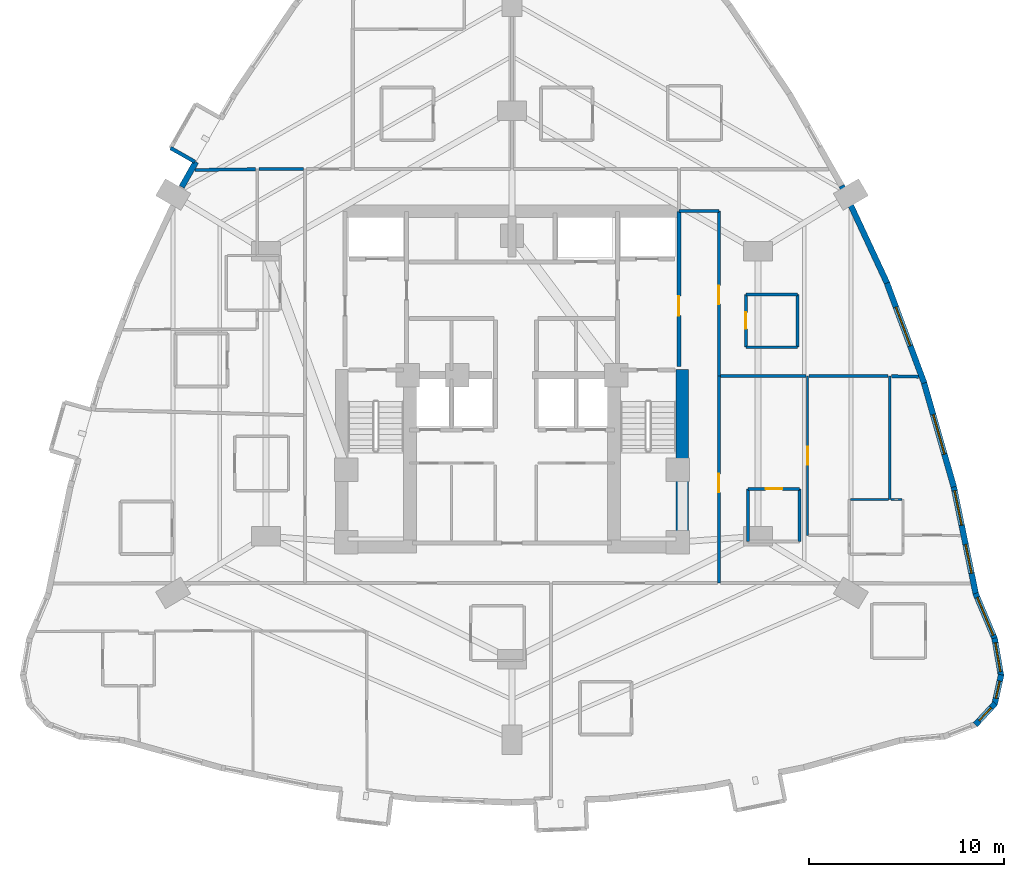
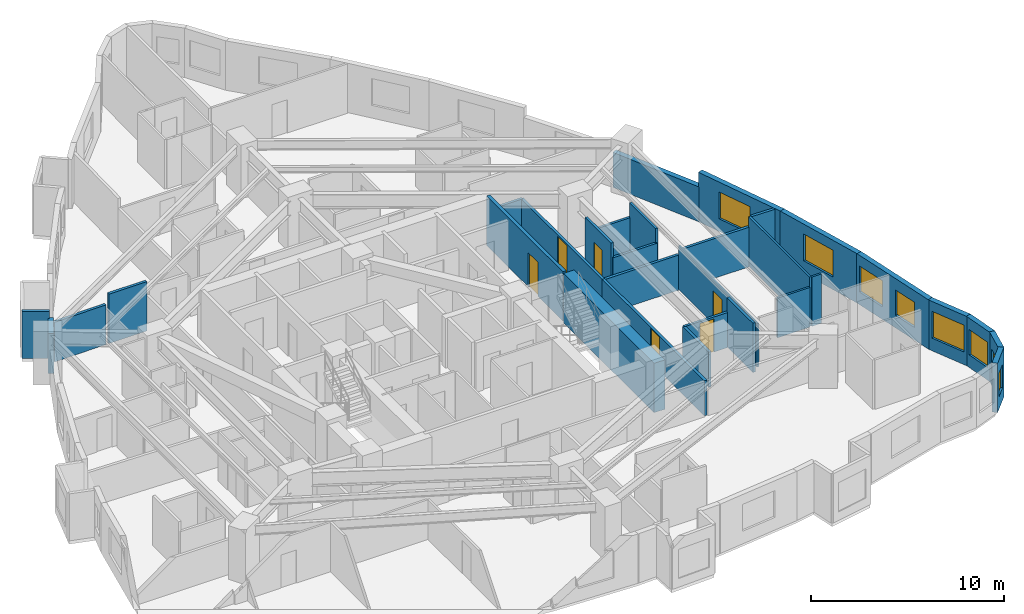
# One storey, part 12 of 15: 31 walls, 8 windows, 6 doors, 14 openings.
"""IFC4 building model written with IfcOpenShell, lengths in metres."""

from ifc_helpers import new_model, si_unit, direction, frame, frame_2d, origin, place, context, subcontext, project, spatial, rectangle, extrude, material, layer, layer_set, type_object, element, fill, save


model = new_model("IFC4")

# Units and contexts
model_context = context("Model", 3, precision=1e-05, world=origin(), true_north=direction((0.0, 1.0)))
body_context = subcontext(model_context, "Body", "Model", "MODEL_VIEW")
ifc_project = project(units=[si_unit("LENGTHUNIT", "METRE"), si_unit("AREAUNIT", "SQUARE_METRE"), si_unit("VOLUMEUNIT", "CUBIC_METRE"), si_unit("PLANEANGLEUNIT", "RADIAN"), si_unit("MASSUNIT", "GRAM", prefix="KILO")], contexts=[model_context])

# Site, building, storey
site_placement = place(None, origin())
site = spatial("IfcSite", under=ifc_project, at=site_placement, CompositionType="ELEMENT")
building_placement = place(site_placement, origin())
building = spatial("IfcBuilding", under=site, at=building_placement, Name="Miruveldt Soraemaru", CompositionType="ELEMENT")
storey_placement = place(building_placement, frame((0.0, 0.0, 36.0)))
storey = spatial("IfcBuildingStorey", under=building, at=storey_placement, Name="L09", CompositionType="ELEMENT", Elevation=36.0)

# Walls
ifc_material_1 = material(Name="White powder-coated aluminium EN AW-6060 T6", Category="aluminium")
ifc_layer_1 = layer(ifc_material_1, 0.18994140625, Name="White powder-coated aluminium EN AW-6060 T6", Category="aluminium")
ifc_layer_set_1 = layer_set([ifc_layer_1], Name="White powder-coated aluminium EN AW-6060 T6")
wall_type_1 = type_object("IfcWallType", Name="WALL-BAY-ALU190", PredefinedType="SOLIDWALL", material=ifc_layer_set_1)
wall_1_placement = place(storey_placement, frame((26.51220703125, 55.683349609375, 0.0), z_axis=(0.0, 0.0, 1.0), x_axis=(0.869840890461, -0.493332367965, 0.0)))
element("IfcWall", 1, at=wall_1_placement, inside=storey, type_object=wall_type_1, Name="L09 Bay Window Side Cheek 2R", PredefinedType="SOLIDWALL", context=body_context, shape_type="SweptSolid", body=[
    extrude(rectangle(XDim=1.42529296875, YDim=0.18994140625, at=frame_2d((0.712646484375, 0.0))), origin(), (0.0, 0.0, 1.0), 2.97509765625),
])
ifc_material_2 = material(Name="Concrete C80/95 (80 MPa)", Category="concrete")
ifc_layer_2 = layer(ifc_material_2, 0.64990234375, Name="Concrete C80/95 (80 MPa)", Category="concrete")
ifc_layer_set_2 = layer_set([ifc_layer_2], Name="Concrete C80/95 (80 MPa)")
wall_type_2 = type_object("IfcWallType", Name="WALL-CW-650", PredefinedType="SHEAR", material=ifc_layer_set_2)
wall_2_placement = place(storey_placement, frame((52.72509765625, 34.949951171875, 0.0), z_axis=(0.0, 0.0, 1.0), x_axis=(0.0, 1.0, 0.0)))
element("IfcWall", 2, at=wall_2_placement, inside=storey, type_object=wall_type_2, Name="L09 Central Core Shear Wall E1", PredefinedType="SHEAR", context=body_context, shape_type="SweptSolid", body=[
    extrude(rectangle(XDim=9.400146484375, YDim=0.64990234375, at=frame_2d((4.7001953125, 0.0))), origin(), (0.0, 0.0, 1.0), 3.125),
])
ifc_material_3 = material(Name="Precast concrete C45/55 (45 MPa)", Category="concrete")
ifc_layer_3 = layer(ifc_material_3, 0.300048828125, Name="Precast concrete C45/55 (45 MPa)", Category="concrete")
ifc_layer_set_3 = layer_set([ifc_layer_3], Name="Precast concrete C45/55 (45 MPa)")
wall_type_3 = type_object("IfcWallType", Name="WALL-EXT-PC300", PredefinedType="SOLIDWALL", material=ifc_layer_set_3)
wall_3_placement = place(storey_placement, frame((27.814453125, 54.979248046875, 0.0), z_axis=(0.0, 0.0, 1.0), x_axis=(-0.493382949602, -0.86981220102, 0.0)))
element("IfcWall", 3, at=wall_3_placement, inside=storey, type_object=wall_type_3, Name="L09 Precast Pier Wall 10B", PredefinedType="SOLIDWALL", context=body_context, shape_type="SweptSolid", body=[
    extrude(rectangle(XDim=1.47998046875, YDim=0.300048828125, at=frame_2d((0.739990234375, 0.0))), origin(), (0.0, 0.0, 1.0), 2.512939453125),
])

# Wall, opening, window
wall_4_placement = place(storey_placement, frame((67.732421875, 26.1455078125, 0.0), z_axis=(0.0, 0.0, 1.0), x_axis=(0.680093162968, 0.73312569842, 0.0)))
wall_4 = element("IfcWall", 4, at=wall_4_placement, inside=storey, type_object=wall_type_3, Name="L09 Precast Concrete Facade Wall 31", PredefinedType="SOLIDWALL", context=body_context, shape_type="SweptSolid", body=[
    extrude(rectangle(XDim=1.491455078125, YDim=0.300048828125, at=frame_2d((0.74560546875, 0.0))), origin(), (0.0, 0.0, 1.0), 3.125),
])
opening_1_placement = place(wall_4_placement, frame((0.294921875, 0.0, 0.780029296875)))
opening_1 = element("IfcOpeningElement", 5, at=opening_1_placement, cuts=wall_4, Name="Opening WN-7", PredefinedType="OPENING", context=body_context, shape_type="SweptSolid", body=[
    extrude(rectangle(XDim=0.89990234375, YDim=1.5, at=frame_2d((0.449951171875, 0.75))), frame((0.0, 0.16015625, 0.0), z_axis=(0.0, -1.0, 0.0), x_axis=(1.0, 0.0, 0.0)), (0.0, 0.0, 1.0), 0.320068359375),
])
ifc_material_4 = material(Name="Triple low-e insulated glazing", Category="glass")
window_type_1 = type_object("IfcWindowType", Name="WIN-PUNCH-900x1500", PartitioningType="SINGLE_PANEL", PredefinedType="WINDOW", material=ifc_material_4)
window_1_placement = place(opening_1_placement, origin())
window_1 = element("IfcWindow", 6, at=window_1_placement, inside=storey, type_object=window_type_1, Name="L09 Punched Triple-Glazed Window 31.1", OverallHeight=1.5, OverallWidth=0.89990234375, PartitioningType="SINGLE_PANEL", PredefinedType="WINDOW", context=body_context, shape_type="SweptSolid", body=[
    extrude(rectangle(XDim=0.89990234375, YDim=1.5, at=frame_2d((0.449951171875, 0.75))), frame((0.0, 0.030029296875, 0.0), z_axis=(0.0, -1.0, 0.0), x_axis=(1.0, 0.0, 0.0)), (0.0, 0.0, 1.0), 0.06005859375),
])
fill(opening_1, window_1)

wall_5_placement = place(storey_placement, frame((68.715576171875, 27.178955078125, 0.0), z_axis=(0.0, 0.0, 1.0), x_axis=(0.215707327846, 0.976458062957, 0.0)))
wall_5 = element("IfcWall", 7, at=wall_5_placement, inside=storey, type_object=wall_type_3, Name="L09 Precast Concrete Facade Wall 32", PredefinedType="SOLIDWALL", context=body_context, shape_type="SweptSolid", body=[
    extrude(rectangle(XDim=1.564208984375, YDim=0.300048828125, at=frame_2d((0.7822265625, 0.0))), origin(), (0.0, 0.0, 1.0), 3.125),
])
opening_2_placement = place(wall_5_placement, frame((0.33203125, 0.0, 0.780029296875)))
opening_2 = element("IfcOpeningElement", 8, at=opening_2_placement, cuts=wall_5, Name="Opening WN-7", PredefinedType="OPENING", context=body_context, shape_type="SweptSolid", body=[
    extrude(rectangle(XDim=0.89990234375, YDim=1.5, at=frame_2d((0.449951171875, 0.75))), frame((0.0, 0.16015625, 0.0), z_axis=(0.0, -1.0, 0.0), x_axis=(1.0, 0.0, 0.0)), (0.0, 0.0, 1.0), 0.320068359375),
])
window_2_placement = place(opening_2_placement, origin())
window_2 = element("IfcWindow", 9, at=window_2_placement, inside=storey, type_object=window_type_1, Name="L09 Punched Triple-Glazed Window 32.1", OverallHeight=1.5, OverallWidth=0.89990234375, PartitioningType="SINGLE_PANEL", PredefinedType="WINDOW", context=body_context, shape_type="SweptSolid", body=[
    extrude(rectangle(XDim=0.89990234375, YDim=1.5, at=frame_2d((0.449951171875, 0.75))), frame((0.0, 0.030029296875, 0.0), z_axis=(0.0, -1.0, 0.0), x_axis=(1.0, 0.0, 0.0)), (0.0, 0.0, 1.0), 0.06005859375),
])
fill(opening_2, window_2)

wall_6_placement = place(storey_placement, frame((69.05126953125, 28.637451171875, 0.0), z_axis=(0.0, 0.0, 1.0), x_axis=(-0.169272905245, 0.985569218041, 0.0)))
wall_6 = element("IfcWall", 10, at=wall_6_placement, inside=storey, type_object=wall_type_3, Name="L09 Precast Concrete Facade Wall 33", PredefinedType="SOLIDWALL", context=body_context, shape_type="SweptSolid", body=[
    extrude(rectangle(XDim=1.97314453125, YDim=0.300048828125, at=frame_2d((0.986572265625, 0.0))), origin(), (0.0, 0.0, 1.0), 3.125),
])
opening_3_placement = place(wall_6_placement, frame((0.236083984375, 0.0, 0.800048828125)))
opening_3 = element("IfcOpeningElement", 11, at=opening_3_placement, cuts=wall_6, Name="Opening WN-3", PredefinedType="OPENING", context=body_context, shape_type="SweptSolid", body=[
    extrude(rectangle(XDim=1.5, YDim=1.60009765625, at=frame_2d((0.75, 0.800048828125))), frame((0.0, 0.16015625, 0.0), z_axis=(0.0, -1.0, 0.0), x_axis=(1.0, 0.0, 0.0)), (0.0, 0.0, 1.0), 0.320068359375),
])
window_type_2 = type_object("IfcWindowType", Name="WIN-PUNCH-1500x1600", PartitioningType="SINGLE_PANEL", PredefinedType="WINDOW", material=ifc_material_4)
window_3_placement = place(opening_3_placement, origin())
window_3 = element("IfcWindow", 12, at=window_3_placement, inside=storey, type_object=window_type_2, Name="L09 Punched Triple-Glazed Window 33.1", OverallHeight=1.60009765625, OverallWidth=1.5, PartitioningType="SINGLE_PANEL", PredefinedType="WINDOW", context=body_context, shape_type="SweptSolid", body=[
    extrude(rectangle(XDim=1.5, YDim=1.60009765625, at=frame_2d((0.75, 0.800048828125))), frame((0.0, 0.030029296875, 0.0), z_axis=(0.0, -1.0, 0.0), x_axis=(1.0, 0.0, 0.0)), (0.0, 0.0, 1.0), 0.06005859375),
])
fill(opening_3, window_3)

wall_7_placement = place(storey_placement, frame((68.73681640625, 30.515380859375, 0.0), z_axis=(0.0, 0.0, 1.0), x_axis=(-0.388671385618, 0.921376445326, 0.0)))
wall_7 = element("IfcWall", 13, at=wall_7_placement, inside=storey, type_object=wall_type_3, Name="L09 Precast Concrete Facade Wall 34", PredefinedType="SOLIDWALL", context=body_context, shape_type="SweptSolid", body=[
    extrude(rectangle(XDim=2.557861328125, YDim=0.300048828125, at=frame_2d((1.27880859375, 0.0))), origin(), (0.0, 0.0, 1.0), 3.125),
])
opening_4_placement = place(wall_7_placement, frame((0.22900390625, 0.0, 0.800048828125)))
opening_4 = element("IfcOpeningElement", 14, at=opening_4_placement, cuts=wall_7, Name="Opening WN-1", PredefinedType="OPENING", context=body_context, shape_type="SweptSolid", body=[
    extrude(rectangle(XDim=2.10009765625, YDim=1.699951171875, at=frame_2d((1.050048828125, 0.85009765625))), frame((0.0, 0.16015625, 0.0), z_axis=(0.0, -1.0, 0.0), x_axis=(1.0, 0.0, 0.0)), (0.0, 0.0, 1.0), 0.320068359375),
])
window_type_3 = type_object("IfcWindowType", Name="WIN-PUNCH-2100x1700", PartitioningType="SINGLE_PANEL", PredefinedType="WINDOW", material=ifc_material_4)
window_4_placement = place(opening_4_placement, origin())
window_4 = element("IfcWindow", 15, at=window_4_placement, inside=storey, type_object=window_type_3, Name="L09 Punched Triple-Glazed Window 34.1", OverallHeight=1.699951171875, OverallWidth=2.10009765625, PartitioningType="SINGLE_PANEL", PredefinedType="WINDOW", context=body_context, shape_type="SweptSolid", body=[
    extrude(rectangle(XDim=2.10009765625, YDim=1.699951171875, at=frame_2d((1.050048828125, 0.85009765625))), frame((0.0, 0.030029296875, 0.0), z_axis=(0.0, -1.0, 0.0), x_axis=(1.0, 0.0, 0.0)), (0.0, 0.0, 1.0), 0.06005859375),
])
fill(opening_4, window_4)

# Wall, openings, windows
wall_8_placement = place(storey_placement, frame((67.763427734375, 32.8056640625, 0.0), z_axis=(0.0, 0.0, 1.0), x_axis=(-0.201578050416, 0.979472454738, 0.0)))
wall_8 = element("IfcWall", 16, at=wall_8_placement, inside=storey, type_object=wall_type_3, Name="L09 Precast Concrete Facade Wall 35", PredefinedType="SOLIDWALL", context=body_context, shape_type="SweptSolid", body=[
    extrude(rectangle(XDim=5.70458984375, YDim=0.300048828125, at=frame_2d((2.852294921875, 0.0))), origin(), (0.0, 0.0, 1.0), 3.125),
])
opening_5_placement = place(wall_8_placement, frame((1.1240234375, 0.0, 0.800048828125)))
opening_5 = element("IfcOpeningElement", 17, at=opening_5_placement, cuts=wall_8, Name="Opening WN-3", PredefinedType="OPENING", context=body_context, shape_type="SweptSolid", body=[
    extrude(rectangle(XDim=1.5, YDim=1.60009765625, at=frame_2d((0.75, 0.800048828125))), frame((0.0, 0.16015625, 0.0), z_axis=(0.0, -1.0, 0.0), x_axis=(1.0, 0.0, 0.0)), (0.0, 0.0, 1.0), 0.320068359375),
])
opening_6_placement = place(wall_8_placement, frame((3.635009765625, 0.0, 0.800048828125)))
opening_6 = element("IfcOpeningElement", 18, at=opening_6_placement, cuts=wall_8, Name="Opening WN-2", PredefinedType="OPENING", context=body_context, shape_type="SweptSolid", body=[
    extrude(rectangle(XDim=1.800048828125, YDim=1.64990234375, at=frame_2d((0.89990234375, 0.824951171875))), frame((0.0, 0.16015625, 0.0), z_axis=(0.0, -1.0, 0.0), x_axis=(1.0, 0.0, 0.0)), (0.0, 0.0, 1.0), 0.320068359375),
])
window_5_placement = place(opening_5_placement, origin())
window_5 = element("IfcWindow", 19, at=window_5_placement, inside=storey, type_object=window_type_2, Name="L09 Punched Triple-Glazed Window 35.1", OverallHeight=1.60009765625, OverallWidth=1.5, PartitioningType="SINGLE_PANEL", PredefinedType="WINDOW", context=body_context, shape_type="SweptSolid", body=[
    extrude(rectangle(XDim=1.5, YDim=1.60009765625, at=frame_2d((0.75, 0.800048828125))), frame((0.0, 0.030029296875, 0.0), z_axis=(0.0, -1.0, 0.0), x_axis=(1.0, 0.0, 0.0)), (0.0, 0.0, 1.0), 0.06005859375),
])
fill(opening_5, window_5)
window_type_4 = type_object("IfcWindowType", Name="WIN-PUNCH-1800x1650", PartitioningType="SINGLE_PANEL", PredefinedType="WINDOW", material=ifc_material_4)
window_6_placement = place(opening_6_placement, origin())
window_6 = element("IfcWindow", 20, at=window_6_placement, inside=storey, type_object=window_type_4, Name="L09 Punched Triple-Glazed Window 35.2", OverallHeight=1.64990234375, OverallWidth=1.800048828125, PartitioningType="SINGLE_PANEL", PredefinedType="WINDOW", context=body_context, shape_type="SweptSolid", body=[
    extrude(rectangle(XDim=1.800048828125, YDim=1.64990234375, at=frame_2d((0.89990234375, 0.824951171875))), frame((0.0, 0.030029296875, 0.0), z_axis=(0.0, -1.0, 0.0), x_axis=(1.0, 0.0, 0.0)), (0.0, 0.0, 1.0), 0.06005859375),
])
fill(opening_6, window_6)

# Wall, opening, window
wall_9_placement = place(storey_placement, frame((66.630126953125, 38.3251953125, 0.0), z_axis=(0.0, 0.0, 1.0), x_axis=(-0.274980080947, 0.961449923336, 0.0)))
wall_9 = element("IfcWall", 21, at=wall_9_placement, inside=storey, type_object=wall_type_3, Name="L09 Precast Concrete Facade Wall 36", PredefinedType="SOLIDWALL", context=body_context, shape_type="SweptSolid", body=[
    extrude(rectangle(XDim=5.603271484375, YDim=0.300048828125, at=frame_2d((2.8017578125, 0.0))), origin(), (0.0, 0.0, 1.0), 3.125),
])
opening_7_placement = place(wall_9_placement, frame((1.7509765625, 0.0, 0.800048828125)))
opening_7 = element("IfcOpeningElement", 22, at=opening_7_placement, cuts=wall_9, Name="Opening WN-1", PredefinedType="OPENING", context=body_context, shape_type="SweptSolid", body=[
    extrude(rectangle(XDim=2.10009765625, YDim=1.699951171875, at=frame_2d((1.050048828125, 0.85009765625))), frame((0.0, 0.16015625, 0.0), z_axis=(0.0, -1.0, 0.0), x_axis=(1.0, 0.0, 0.0)), (0.0, 0.0, 1.0), 0.320068359375),
])
window_7_placement = place(opening_7_placement, origin())
window_7 = element("IfcWindow", 23, at=window_7_placement, inside=storey, type_object=window_type_3, Name="L09 Punched Triple-Glazed Window 36.1", OverallHeight=1.699951171875, OverallWidth=2.10009765625, PartitioningType="SINGLE_PANEL", PredefinedType="WINDOW", context=body_context, shape_type="SweptSolid", body=[
    extrude(rectangle(XDim=2.10009765625, YDim=1.699951171875, at=frame_2d((1.050048828125, 0.85009765625))), frame((0.0, 0.030029296875, 0.0), z_axis=(0.0, -1.0, 0.0), x_axis=(1.0, 0.0, 0.0)), (0.0, 0.0, 1.0), 0.06005859375),
])
fill(opening_7, window_7)

wall_10_placement = place(storey_placement, frame((65.111083984375, 43.64599609375, 0.0), z_axis=(0.0, 0.0, 1.0), x_axis=(-0.349000413077, 0.93712257025, 0.0)))
wall_10 = element("IfcWall", 24, at=wall_10_placement, inside=storey, type_object=wall_type_3, Name="L09 Precast Concrete Facade Wall 37", PredefinedType="SOLIDWALL", context=body_context, shape_type="SweptSolid", body=[
    extrude(rectangle(XDim=5.53466796875, YDim=0.300048828125, at=frame_2d((2.767333984375, 0.0))), origin(), (0.0, 0.0, 1.0), 3.125),
])
opening_8_placement = place(wall_10_placement, frame((2.041015625, 0.0, 0.800048828125)))
opening_8 = element("IfcOpeningElement", 25, at=opening_8_placement, cuts=wall_10, Name="Opening WN-1", PredefinedType="OPENING", context=body_context, shape_type="SweptSolid", body=[
    extrude(rectangle(XDim=2.10009765625, YDim=1.699951171875, at=frame_2d((1.050048828125, 0.85009765625))), frame((0.0, 0.16015625, 0.0), z_axis=(0.0, -1.0, 0.0), x_axis=(1.0, 0.0, 0.0)), (0.0, 0.0, 1.0), 0.320068359375),
])
window_8_placement = place(opening_8_placement, origin())
window_8 = element("IfcWindow", 26, at=window_8_placement, inside=storey, type_object=window_type_3, Name="L09 Punched Triple-Glazed Window 37.1", OverallHeight=1.699951171875, OverallWidth=2.10009765625, PartitioningType="SINGLE_PANEL", PredefinedType="WINDOW", context=body_context, shape_type="SweptSolid", body=[
    extrude(rectangle(XDim=2.10009765625, YDim=1.699951171875, at=frame_2d((1.050048828125, 0.85009765625))), frame((0.0, 0.030029296875, 0.0), z_axis=(0.0, -1.0, 0.0), x_axis=(1.0, 0.0, 0.0)), (0.0, 0.0, 1.0), 0.06005859375),
])
fill(opening_8, window_8)

# Wall
wall_11_placement = place(storey_placement, frame((63.206298828125, 48.768310546875, 0.0), z_axis=(0.0, 0.0, 1.0), x_axis=(-0.422309467153, 0.906451716284, 0.0)))
element("IfcWall", 27, at=wall_11_placement, inside=storey, type_object=wall_type_3, Name="L09 Precast Concrete Facade Wall 38", PredefinedType="SOLIDWALL", context=body_context, shape_type="SweptSolid", body=[
    extrude(rectangle(XDim=5.500244140625, YDim=0.300048828125, at=frame_2d((2.75, 0.0))), origin(), (0.0, 0.0, 1.0), 2.212890625),
])

# Wall, opening, door
ifc_material_5 = material(Name="Gypsum plasterboard lining", Category="gypsum")
ifc_layer_4 = layer(ifc_material_5, 0.1201171875, Name="Gypsum plasterboard lining", Category="gypsum")
ifc_layer_set_4 = layer_set([ifc_layer_4], Name="Gypsum plasterboard lining")
wall_type_4 = type_object("IfcWallType", Name="WALL-INT-P120", PredefinedType="PARTITIONING", material=ifc_layer_set_4)
wall_12_placement = place(storey_placement, frame((59.135986328125, 35.85009765625, 0.0), z_axis=(0.0, 0.0, 1.0), x_axis=(0.0, 1.0, 0.0)))
wall_12 = element("IfcWall", 28, at=wall_12_placement, inside=storey, type_object=wall_type_4, Name="L09 Partition Wall 77", PredefinedType="PARTITIONING", context=body_context, shape_type="SweptSolid", body=[
    extrude(rectangle(XDim=8.14990234375, YDim=0.1201171875, at=frame_2d((4.074951171875, 0.0))), origin(), (0.0, 0.0, 1.0), 2.762939453125),
])
opening_9_placement = place(wall_12_placement, frame((3.614990234375, 0.0, 0.0)))
opening_9 = element("IfcOpeningElement", 29, at=opening_9_placement, cuts=wall_12, Name="Opening D3A", PredefinedType="OPENING", context=body_context, shape_type="SweptSolid", body=[
    extrude(rectangle(XDim=0.919921875, YDim=2.10009765625, at=frame_2d((0.4599609375, 1.050048828125))), frame((0.0, 0.070068359375, 0.0), z_axis=(0.0, -1.0, 0.0), x_axis=(1.0, 0.0, 0.0)), (0.0, 0.0, 1.0), 0.14013671875),
])
ifc_material_6 = material(Name="Anodised aluminium EN AW-6063 T6", Category="aluminium")
door_type_1 = type_object("IfcDoorType", Name="DOOR-INT-920", OperationType="NOTDEFINED", PredefinedType="DOOR", material=ifc_material_6)
door_1_placement = place(opening_9_placement, origin())
door_1 = element("IfcDoor", 30, at=door_1_placement, inside=storey, type_object=door_type_1, Name="L09 Unit 0907 BD1 Door", OperationType="SINGLE_SWING_RIGHT", OverallHeight=2.10009765625, OverallWidth=0.919921875, PredefinedType="DOOR", context=body_context, shape_type="SweptSolid", body=[
    extrude(rectangle(XDim=0.919921875, YDim=2.10009765625, at=frame_2d((0.4599609375, 1.050048828125))), frame((0.0, 0.02490234375, 0.0), z_axis=(0.0, -1.0, 0.0), x_axis=(1.0, 0.0, 0.0)), (0.0, 0.0, 1.0), 0.050048828125),
])
fill(opening_9, door_1)

# Walls
wall_13_placement = place(storey_placement, frame((63.347900390625, 37.679931640625, 0.0), z_axis=(0.0, 0.0, 1.0), x_axis=(0.0, 1.0, 0.0)))
element("IfcWall", 31, at=wall_13_placement, inside=storey, type_object=wall_type_4, Name="L09 Partition Wall 84", PredefinedType="PARTITIONING", context=body_context, shape_type="SweptSolid", body=[
    extrude(rectangle(XDim=6.320068359375, YDim=0.1201171875, at=frame_2d((3.16015625, 0.0))), origin(), (0.0, 0.0, 1.0), 3.125),
])
wall_14_placement = place(storey_placement, frame((63.2880859375, 37.679931640625, 0.0), z_axis=(0.0, 0.0, 1.0), x_axis=(-1.0, 0.0, 0.0)))
element("IfcWall", 32, at=wall_14_placement, inside=storey, type_object=wall_type_4, Name="L09 Partition Wall 80", PredefinedType="PARTITIONING", context=body_context, shape_type="SweptSolid", body=[
    extrude(rectangle(XDim=1.947998046875, YDim=0.1201171875, at=frame_2d((0.97412109375, 0.0))), origin(), (0.0, 0.0, 1.0), 2.512939453125),
])
wall_15_placement = place(storey_placement, frame((63.969970703125, 37.679931640625, 0.0), z_axis=(0.0, 0.0, 1.0), x_axis=(-1.0, 0.0, 0.0)))
element("IfcWall", 33, at=wall_15_placement, inside=storey, type_object=wall_type_4, Name="L09 Partition Wall 83", PredefinedType="PARTITIONING", context=body_context, shape_type="SweptSolid", body=[
    extrude(rectangle(XDim=0.56201171875, YDim=0.1201171875, at=frame_2d((0.281005859375, 0.0))), origin(), (0.0, 0.0, 1.0), 3.125),
])

# Wall, opening, door
ifc_layer_5 = layer(ifc_material_5, 0.14990234375, Name="Gypsum plasterboard lining", Category="gypsum")
ifc_layer_set_5 = layer_set([ifc_layer_5], Name="Gypsum plasterboard lining")
wall_type_5 = type_object("IfcWallType", Name="WALL-INT-PLUMB", PredefinedType="PLUMBINGWALL", material=ifc_layer_set_5)
wall_16_placement = place(storey_placement, frame((55.97998046875, 48.179931640625, 0.0), z_axis=(0.0, 0.0, 1.0), x_axis=(0.0, -1.0, 0.0)))
wall_16 = element("IfcWall", 34, at=wall_16_placement, inside=storey, type_object=wall_type_5, Name="L09 Partition Wall 64", PredefinedType="PLUMBINGWALL", context=body_context, shape_type="SweptSolid", body=[
    extrude(rectangle(XDim=2.699951171875, YDim=0.14990234375, at=frame_2d((1.35009765625, 0.0))), origin(), (0.0, 0.0, 1.0), 3.125),
])
opening_10_placement = place(wall_16_placement, frame((0.909912109375, 0.0, 0.0)))
opening_10 = element("IfcOpeningElement", 35, at=opening_10_placement, cuts=wall_16, Name="Opening FD3", PredefinedType="OPENING", context=body_context, shape_type="SweptSolid", body=[
    extrude(rectangle(XDim=0.85009765625, YDim=2.10009765625, at=frame_2d((0.425048828125, 1.050048828125))), frame((0.0, 0.0849609375, 0.0), z_axis=(0.0, -1.0, 0.0), x_axis=(1.0, 0.0, 0.0)), (0.0, 0.0, 1.0), 0.169921875),
])
door_type_2 = type_object("IfcDoorType", Name="DOOR-FD3-850", OperationType="NOTDEFINED", PredefinedType="DOOR", material=ifc_material_6)
door_2_placement = place(opening_10_placement, origin())
door_2 = element("IfcDoor", 36, at=door_2_placement, inside=storey, type_object=door_type_2, Name="L09 Unit CL06 BTH Door", OperationType="SINGLE_SWING_RIGHT", OverallHeight=2.10009765625, OverallWidth=0.85009765625, PredefinedType="DOOR", context=body_context, shape_type="SweptSolid", body=[
    extrude(rectangle(XDim=0.85009765625, YDim=2.10009765625, at=frame_2d((0.425048828125, 1.050048828125))), frame((0.0, 0.02490234375, 0.0), z_axis=(0.0, -1.0, 0.0), x_axis=(1.0, 0.0, 0.0)), (0.0, 0.0, 1.0), 0.050048828125),
])
fill(opening_10, door_2)

wall_17_placement = place(storey_placement, frame((58.72998046875, 38.22998046875, 0.0), z_axis=(0.0, 0.0, 1.0), x_axis=(-1.0, 0.0, 0.0)))
wall_17 = element("IfcWall", 37, at=wall_17_placement, inside=storey, type_object=wall_type_5, Name="L09 Partition Wall 70", PredefinedType="PLUMBINGWALL", context=body_context, shape_type="SweptSolid", body=[
    extrude(rectangle(XDim=2.64990234375, YDim=0.14990234375, at=frame_2d((1.324951171875, 0.0))), origin(), (0.0, 0.0, 1.0), 2.219970703125),
])
opening_11_placement = place(wall_17_placement, frame((0.885009765625, 0.0, 0.0)))
opening_11 = element("IfcOpeningElement", 38, at=opening_11_placement, cuts=wall_17, Name="Opening FD3", PredefinedType="OPENING", context=body_context, shape_type="SweptSolid", body=[
    extrude(rectangle(XDim=0.85009765625, YDim=2.10009765625, at=frame_2d((0.425048828125, 1.050048828125))), frame((0.0, 0.0849609375, 0.0), z_axis=(0.0, -1.0, 0.0), x_axis=(1.0, 0.0, 0.0)), (0.0, 0.0, 1.0), 0.169921875),
])
door_3_placement = place(opening_11_placement, origin())
door_3 = element("IfcDoor", 39, at=door_3_placement, inside=storey, type_object=door_type_2, Name="L09 Unit 0907 BTH Door", OperationType="SINGLE_SWING_RIGHT", OverallHeight=2.10009765625, OverallWidth=0.85009765625, PredefinedType="DOOR", context=body_context, shape_type="SweptSolid", body=[
    extrude(rectangle(XDim=0.85009765625, YDim=2.10009765625, at=frame_2d((0.425048828125, 1.050048828125))), frame((0.0, 0.02490234375, 0.0), z_axis=(0.0, -1.0, 0.0), x_axis=(1.0, 0.0, 0.0)), (0.0, 0.0, 1.0), 0.050048828125),
])
fill(opening_11, door_3)

# Walls
for number, where, z_axis, x_axis, name in (
    (40, (58.6298828125, 45.47998046875, 0.0), (0.0, 0.0, 1.0), (0.0, 1.0, 0.0), "L09 Partition Wall 107"),
    (41, (58.72998046875, 35.530029296875, 0.0), (0.0, 0.0, 1.0), (0.0, 1.0, 0.0), "L09 Partition Wall 69"),
):
    element("IfcWall", number, at=place(storey_placement, frame(where, z_axis=z_axis, x_axis=x_axis)), inside=storey, type_object=wall_type_5, Name=name, PredefinedType="PLUMBINGWALL", context=body_context, shape_type="SweptSolid", body=[
        extrude(rectangle(XDim=2.699951171875, YDim=0.14990234375, at=frame_2d((1.35009765625, 0.0))), origin(), (0.0, 0.0, 1.0), 3.125),
    ])
wall_18_placement = place(storey_placement, frame((56.080078125, 38.22998046875, 0.0), z_axis=(0.0, 0.0, 1.0), x_axis=(0.0, -1.0, 0.0)))
element("IfcWall", 42, at=wall_18_placement, inside=storey, type_object=wall_type_5, Name="L09 Partition Wall 71", PredefinedType="PLUMBINGWALL", context=body_context, shape_type="SweptSolid", body=[
    extrude(rectangle(XDim=2.699951171875, YDim=0.14990234375, at=frame_2d((1.35009765625, 0.0))), origin(), (0.0, 0.0, 1.0), 2.219970703125),
])
for number, where, z_axis, x_axis, name in (
    (43, (55.97998046875, 45.47998046875, 0.0), (0.0, 0.0, 1.0), (1.0, 0.0, 0.0), "L09 Partition Wall 65"),
    (44, (58.6298828125, 48.179931640625, 0.0), (0.0, 0.0, 1.0), (-1.0, 0.0, 0.0), "L09 Partition Wall 108"),
):
    element("IfcWall", number, at=place(storey_placement, frame(where, z_axis=z_axis, x_axis=x_axis)), inside=storey, type_object=wall_type_5, Name=name, PredefinedType="PLUMBINGWALL", context=body_context, shape_type="SweptSolid", body=[
        extrude(rectangle(XDim=2.64990234375, YDim=0.14990234375, at=frame_2d((1.324951171875, 0.0))), origin(), (0.0, 0.0, 1.0), 2.219970703125),
    ])

# Wall, opening, door
ifc_material_7 = material(Name="Concrete C40/50 (40 MPa)", Category="concrete")
ifc_layer_6 = layer(ifc_material_7, 0.159912109375, Name="Concrete C40/50 (40 MPa)", Category="concrete")
ifc_layer_set_6 = layer_set([ifc_layer_6], Name="Concrete C40/50 (40 MPa)")
wall_type_6 = type_object("IfcWallType", Name="WALL-INT-RC160", PredefinedType="SOLIDWALL", material=ifc_layer_set_6)
wall_19_placement = place(storey_placement, frame((54.60009765625, 33.39990234375, 0.0), z_axis=(0.0, 0.0, 1.0), x_axis=(0.0, 1.0, 0.0)))
wall_19 = element("IfcWall", 45, at=wall_19_placement, inside=storey, type_object=wall_type_6, Name="L09 Partition Wall 9", PredefinedType="SOLIDWALL", context=body_context, shape_type="SweptSolid", body=[
    extrude(rectangle(XDim=10.60009765625, YDim=0.159912109375, at=frame_2d((5.300048828125, 0.0))), origin(), (0.0, 0.0, 1.0), 2.219970703125),
])
opening_12_placement = place(wall_19_placement, frame((4.64501953125, 0.0, 0.0)))
opening_12 = element("IfcOpeningElement", 46, at=opening_12_placement, cuts=wall_19, Name="Opening FD2", PredefinedType="OPENING", context=body_context, shape_type="SweptSolid", body=[
    extrude(rectangle(XDim=0.949951171875, YDim=2.14990234375, at=frame_2d((0.47509765625, 1.074951171875))), frame((0.0, 0.08984375, 0.0), z_axis=(0.0, -1.0, 0.0), x_axis=(1.0, 0.0, 0.0)), (0.0, 0.0, 1.0), 0.179931640625),
])
door_type_3 = type_object("IfcDoorType", Name="DOOR-FD2-950", OperationType="NOTDEFINED", PredefinedType="DOOR", material=ifc_material_6)
door_4_placement = place(opening_12_placement, origin())
door_4 = element("IfcDoor", 47, at=door_4_placement, inside=storey, type_object=door_type_3, Name="L09 Unit 0907 Entrance Fire Door", OperationType="SINGLE_SWING_LEFT", OverallHeight=2.14990234375, OverallWidth=0.949951171875, PredefinedType="DOOR", context=body_context, shape_type="SweptSolid", body=[
    extrude(rectangle(XDim=0.949951171875, YDim=2.14990234375, at=frame_2d((0.47509765625, 1.074951171875))), frame((0.0, 0.02490234375, 0.0), z_axis=(0.0, -1.0, 0.0), x_axis=(1.0, 0.0, 0.0)), (0.0, 0.0, 1.0), 0.050048828125),
])
fill(opening_12, door_4)

wall_20_placement = place(storey_placement, frame((54.60009765625, 44.0029296875, 0.0), z_axis=(0.0, 0.0, 1.0), x_axis=(0.0, 1.0, 0.0)))
wall_20 = element("IfcWall", 48, at=wall_20_placement, inside=storey, type_object=wall_type_6, Name="L09 Partition Wall 6", PredefinedType="SOLIDWALL", context=body_context, shape_type="SweptSolid", body=[
    extrude(rectangle(XDim=8.447021484375, YDim=0.159912109375, at=frame_2d((4.2236328125, 0.0))), origin(), (0.0, 0.0, 1.0), 2.219970703125),
])
opening_13_placement = place(wall_20_placement, frame((3.678955078125, 0.0, 0.0)))
opening_13 = element("IfcOpeningElement", 49, at=opening_13_placement, cuts=wall_20, Name="Opening FD2", PredefinedType="OPENING", context=body_context, shape_type="SweptSolid", body=[
    extrude(rectangle(XDim=0.949951171875, YDim=2.14990234375, at=frame_2d((0.47509765625, 1.074951171875))), frame((0.0, 0.08984375, 0.0), z_axis=(0.0, -1.0, 0.0), x_axis=(1.0, 0.0, 0.0)), (0.0, 0.0, 1.0), 0.179931640625),
])
door_5_placement = place(opening_13_placement, origin())
door_5 = element("IfcDoor", 50, at=door_5_placement, inside=storey, type_object=door_type_3, Name="L09 Unit CL06 Entrance Fire Door", OperationType="SINGLE_SWING_LEFT", OverallHeight=2.14990234375, OverallWidth=0.949951171875, PredefinedType="DOOR", context=body_context, shape_type="SweptSolid", body=[
    extrude(rectangle(XDim=0.949951171875, YDim=2.14990234375, at=frame_2d((0.47509765625, 1.074951171875))), frame((0.0, 0.02490234375, 0.0), z_axis=(0.0, -1.0, 0.0), x_axis=(1.0, 0.0, 0.0)), (0.0, 0.0, 1.0), 0.050048828125),
])
fill(opening_13, door_5)

# Walls
wall_21_placement = place(storey_placement, frame((54.679931640625, 44.0, 0.0), z_axis=(0.0, 0.0, 1.0), x_axis=(1.0, 0.0, 0.0)))
element("IfcWall", 51, at=wall_21_placement, inside=storey, type_object=wall_type_6, Name="L09 Partition Wall 66", PredefinedType="SOLIDWALL", context=body_context, shape_type="SweptSolid", body=[
    extrude(rectangle(XDim=4.3759765625, YDim=0.159912109375, at=frame_2d((2.18798828125, 0.0))), origin(), (0.0, 0.0, 1.0), 2.219970703125),
])
wall_22_placement = place(storey_placement, frame((59.216064453125, 44.0, 0.0), z_axis=(0.0, 0.0, 1.0), x_axis=(1.0, 0.0, 0.0)))
element("IfcWall", 52, at=wall_22_placement, inside=storey, type_object=wall_type_6, Name="L09 Partition Wall 67", PredefinedType="SOLIDWALL", context=body_context, shape_type="SweptSolid", body=[
    extrude(rectangle(XDim=4.052001953125, YDim=0.159912109375, at=frame_2d((2.02587890625, 0.0))), origin(), (0.0, 0.0, 1.0), 2.512939453125),
])
wall_23_placement = place(storey_placement, frame((27.764892578125, 54.55810546875, 0.0), z_axis=(0.0, 0.0, 1.0), x_axis=(0.999912778046, 0.013207433502, 0.0)))
element("IfcWall", 53, at=wall_23_placement, inside=storey, type_object=wall_type_6, Name="L09 Partition Wall 15", PredefinedType="SOLIDWALL", context=body_context, shape_type="SweptSolid", body=[
    extrude(rectangle(XDim=3.10546875, YDim=0.159912109375, at=frame_2d((1.552734375, 0.0))), origin(), (0.0, 0.0, 1.0), 2.512939453125),
])
wall_24_placement = place(storey_placement, frame((31.030029296875, 54.60009765625, 0.0), z_axis=(0.0, 0.0, 1.0), x_axis=(1.0, 0.0, 0.0)))
element("IfcWall", 54, at=wall_24_placement, inside=storey, type_object=wall_type_6, Name="L09 Partition Wall 14", PredefinedType="SOLIDWALL", context=body_context, shape_type="SweptSolid", body=[
    extrude(rectangle(XDim=2.2900390625, YDim=0.159912109375, at=frame_2d((1.14501953125, 0.0))), origin(), (0.0, 0.0, 1.0), 3.125),
])
wall_25_placement = place(storey_placement, frame((54.60009765625, 52.449951171875, 0.0), z_axis=(0.0, 0.0, 1.0), x_axis=(-1.0, 0.0, 0.0)))
element("IfcWall", 55, at=wall_25_placement, inside=storey, type_object=wall_type_6, Name="L09 Partition Wall 7", PredefinedType="SOLIDWALL", context=body_context, shape_type="SweptSolid", body=[
    extrude(rectangle(XDim=2.050048828125, YDim=0.159912109375, at=frame_2d((1.02490234375, 0.0))), origin(), (0.0, 0.0, 1.0), 2.219970703125),
])
wall_26_placement = place(storey_placement, frame((63.427978515625, 43.998046875, 0.0), z_axis=(0.0, 0.0, 1.0), x_axis=(0.999794886493, -0.020253023066, 0.0)))
element("IfcWall", 56, at=wall_26_placement, inside=storey, type_object=wall_type_6, Name="L09 Partition Wall 68", PredefinedType="SOLIDWALL", context=body_context, shape_type="SweptSolid", body=[
    extrude(rectangle(XDim=1.38623046875, YDim=0.159912109375, at=frame_2d((0.693115234375, 0.0))), origin(), (0.0, 0.0, 1.0), 3.125),
])

# Wall, opening, door
ifc_layer_7 = layer(ifc_material_7, 0.199951171875, Name="Concrete C40/50 (40 MPa)", Category="concrete")
ifc_layer_set_7 = layer_set([ifc_layer_7], Name="Concrete C40/50 (40 MPa)")
wall_type_7 = type_object("IfcWallType", Name="WALL-INT-RC200", PredefinedType="SOLIDWALL", material=ifc_layer_set_7)
wall_27_placement = place(storey_placement, frame((52.550048828125, 44.5, 0.0), z_axis=(0.0, 0.0, 1.0), x_axis=(0.0, 1.0, 0.0)))
wall_27 = element("IfcWall", 57, at=wall_27_placement, inside=storey, type_object=wall_type_7, Name="L09 Core Compartment Wall FFE-OUT", PredefinedType="SOLIDWALL", context=body_context, shape_type="SweptSolid", body=[
    extrude(rectangle(XDim=7.919921875, YDim=0.199951171875, at=frame_2d((3.9599609375, 0.0))), origin(), (0.0, 0.0, 1.0), 3.125),
])
opening_14_placement = place(wall_27_placement, frame((2.60009765625, 0.0, 0.0)))
opening_14 = element("IfcOpeningElement", 58, at=opening_14_placement, cuts=wall_27, Name="Opening FD1", PredefinedType="OPENING", context=body_context, shape_type="SweptSolid", body=[
    extrude(rectangle(XDim=1.0, YDim=2.14990234375, at=frame_2d((0.5, 1.074951171875))), frame((0.0, 0.10986328125, 0.0), z_axis=(0.0, -1.0, 0.0), x_axis=(1.0, 0.0, 0.0)), (0.0, 0.0, 1.0), 0.219970703125),
])
door_type_4 = type_object("IfcDoorType", Name="DOOR-FD1-1000", OperationType="NOTDEFINED", PredefinedType="DOOR", material=ifc_material_6)
door_6_placement = place(opening_14_placement, frame((1.0, 0.0, 0.0), z_axis=(0.0, 0.0, 1.0), x_axis=(-1.0, 0.0, 0.0)))
door_6 = element("IfcDoor", 59, at=door_6_placement, inside=storey, type_object=door_type_4, Name="L09 East Firefighting Lobby Exit Door", OperationType="SINGLE_SWING_RIGHT", OverallHeight=2.14990234375, OverallWidth=1.0, PredefinedType="DOOR", context=body_context, shape_type="SweptSolid", body=[
    extrude(rectangle(XDim=1.0, YDim=2.14990234375, at=frame_2d((0.5, 1.074951171875))), frame((0.0, 0.02490234375, 0.0), z_axis=(0.0, -1.0, 0.0), x_axis=(1.0, 0.0, 0.0)), (0.0, 0.0, 1.0), 0.050048828125),
])
fill(opening_14, door_6)

save(model, "model.ifc")
